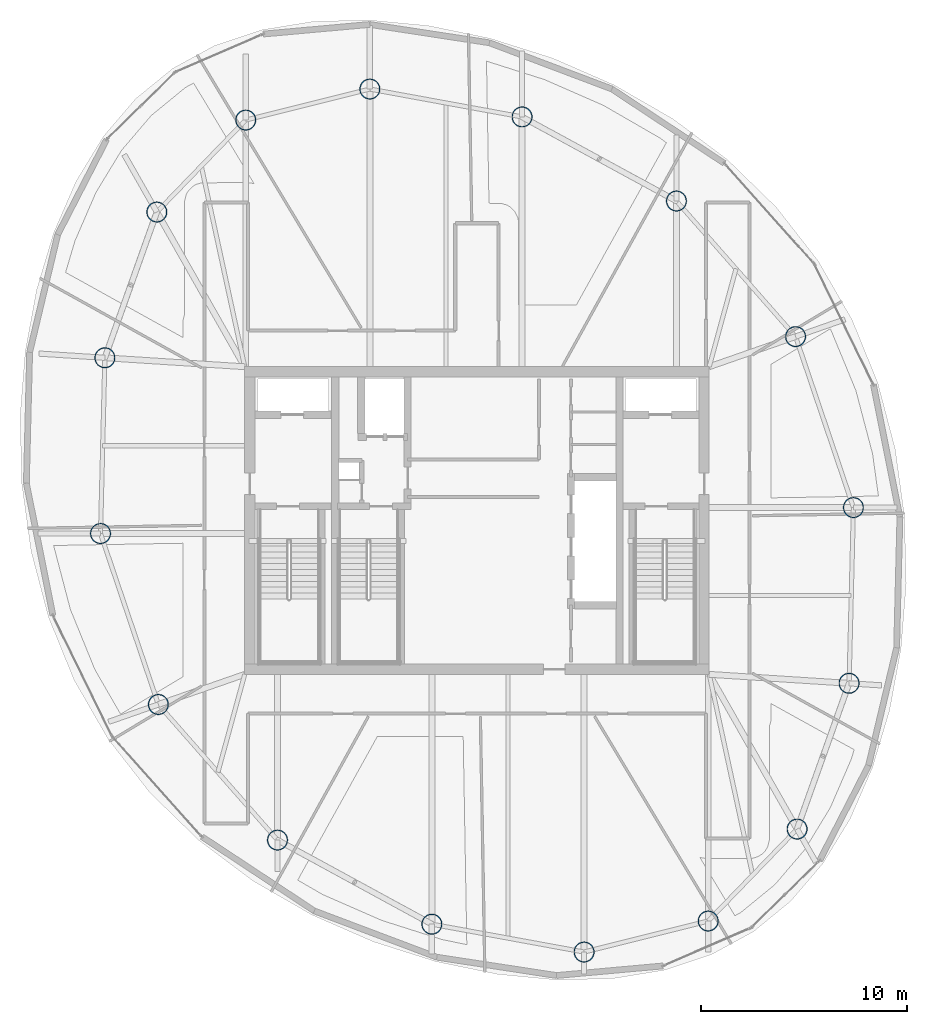
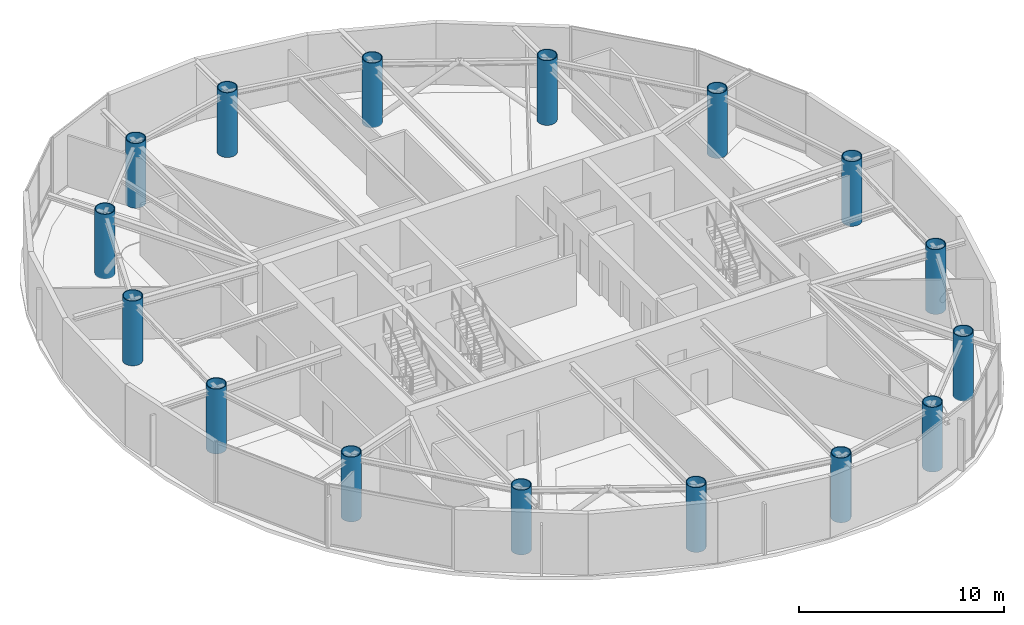
# One storey, part 1 of 21: 16 columns.
"""IFC4 building model written with IfcOpenShell, lengths in metres."""

from ifc_helpers import new_model, si_unit, direction, frame, origin, origin_2d, place, context, subcontext, project, spatial, hollow_circle, extrude, material, material_profile, profile_set, type_object, element, save


model = new_model("IFC4")

# Units and contexts
model_context = context("Model", 3, precision=1e-05, world=origin(), true_north=direction((0.0, 1.0)))
body_context = subcontext(model_context, "Body", "Model", "MODEL_VIEW")
ifc_project = project(units=[si_unit("LENGTHUNIT", "METRE"), si_unit("AREAUNIT", "SQUARE_METRE"), si_unit("VOLUMEUNIT", "CUBIC_METRE"), si_unit("PLANEANGLEUNIT", "RADIAN"), si_unit("MASSUNIT", "GRAM", prefix="KILO")], contexts=[model_context])

# Site, building, storey
site_placement = place(None, origin())
site = spatial("IfcSite", under=ifc_project, at=site_placement, CompositionType="ELEMENT")
building_placement = place(site_placement, origin())
building = spatial("IfcBuilding", under=site, at=building_placement, Name="Bramvorn Convention Spire", CompositionType="ELEMENT")
storey_placement = place(building_placement, frame((0.0, 0.0, 257.449951171875)))
storey = spatial("IfcBuildingStorey", under=building, at=storey_placement, Name="L65", CompositionType="ELEMENT", Elevation=257.449951171875)

# Columns
ifc_material = material(Name="Steel CSA G40.21 Grade 350 (350W)", Category="steel")
ifc_material_profile = material_profile(ifc_material, hollow_circle(Radius=0.5, WallThickness=0.044921875, at=origin_2d()))
ifc_profile_set = profile_set([ifc_material_profile], Name="Steel CSA G40.21 Grade 350 (350W) - CFT1000X45")
column_type = type_object("IfcColumnType", Name="COL-CFT1000X45", PredefinedType="COLUMN", material=ifc_profile_set)
for number, where, z_axis, x_axis, name in (
    (1, (49.199951171875, 6.60107421875, 0.0), (0.0, 0.0, 1.0), (1.0, 0.0, 0.0), "L65 composite CFT mega-column MC01"),
    (2, (53.50634765625, 11.05615234375, 0.0), (0.0, 0.0, 1.0), (1.0, 0.0, 0.0), "L65 composite CFT mega-column MC02"),
    (3, (56.023681640625, 18.116455078125, 0.0), (0.0, 0.0, 1.0), (1.0, 0.0, 0.0), "L65 composite CFT mega-column MC03"),
    (4, (56.234619140625, 26.62939453125, 0.0), (0.0, 0.0, 1.0), (1.0, 0.0, 0.0), "L65 composite CFT mega-column MC04"),
    (5, (53.4326171875, 34.909912109375, 0.0), (0.0, 0.0, 1.0), (1.0, 0.0, 0.0), "L65 composite CFT mega-column MC05"),
    (6, (47.662353515625, 41.476806640625, 0.0), (0.0, 0.0, 1.0), (1.0, 0.0, 0.0), "L65 composite CFT mega-column MC06"),
    (7, (40.1845703125, 45.55078125, 0.0), (0.0, 0.0, 1.0), (1.0, 0.0, 0.0), "L65 composite CFT mega-column MC07"),
    (8, (32.8115234375, 46.90087890625, 0.0), (0.0, 0.0, 1.0), (1.0, 0.0, 0.0), "L65 composite CFT mega-column MC08"),
    (9, (26.800048828125, 45.39892578125, 0.0), (0.0, 0.0, 1.0), (1.0, 0.0, 0.0), "L65 composite CFT mega-column MC09"),
    (10, (22.49365234375, 40.94384765625, 0.0), (0.0, 0.0, 1.0), (1.0, 0.0, 0.0), "L65 composite CFT mega-column MC10"),
    (11, (19.976318359375, 33.883544921875, 0.0), (0.0, 0.0, 1.0), (1.0, 0.0, 0.0), "L65 composite CFT mega-column MC11"),
    (12, (19.765380859375, 25.37060546875, 0.0), (0.0, 0.0, 1.0), (1.0, 0.0, 0.0), "L65 composite CFT mega-column MC12"),
    (13, (22.5673828125, 17.090087890625, 0.0), (0.0, 0.0, 1.0), (1.0, 0.0, 0.0), "L65 composite CFT mega-column MC13"),
    (14, (28.337646484375, 10.523193359375, 0.0), (0.0, 0.0, 1.0), (1.0, 0.0, 0.0), "L65 composite CFT mega-column MC14"),
    (15, (35.8154296875, 6.44921875, 0.0), (0.0, 0.0, 1.0), (1.0, 0.0, 0.0), "L65 composite CFT mega-column MC15"),
    (16, (43.1884765625, 5.09912109375, 0.0), (0.0, 0.0, 1.0), (1.0, 0.0, 0.0), "L65 composite CFT mega-column MC16"),
):
    element("IfcColumn", number, at=place(storey_placement, frame(where, z_axis=z_axis, x_axis=x_axis)), inside=storey, type_object=column_type, Name=name, PredefinedType="COLUMN", context=body_context, shape_type="SweptSolid", body=[
        extrude(hollow_circle(Radius=0.5, WallThickness=0.044921875, at=origin_2d()), origin(), (0.0, 0.0, 1.0), 3.85009765625),
    ])

save(model, "model.ifc")
